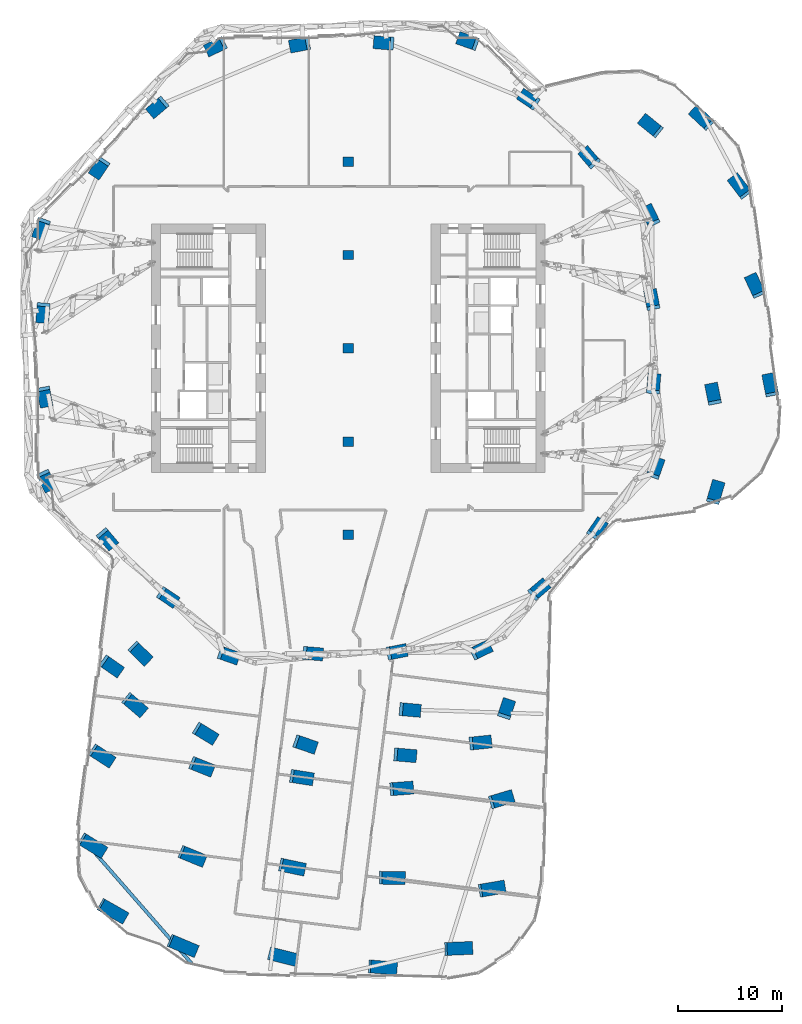
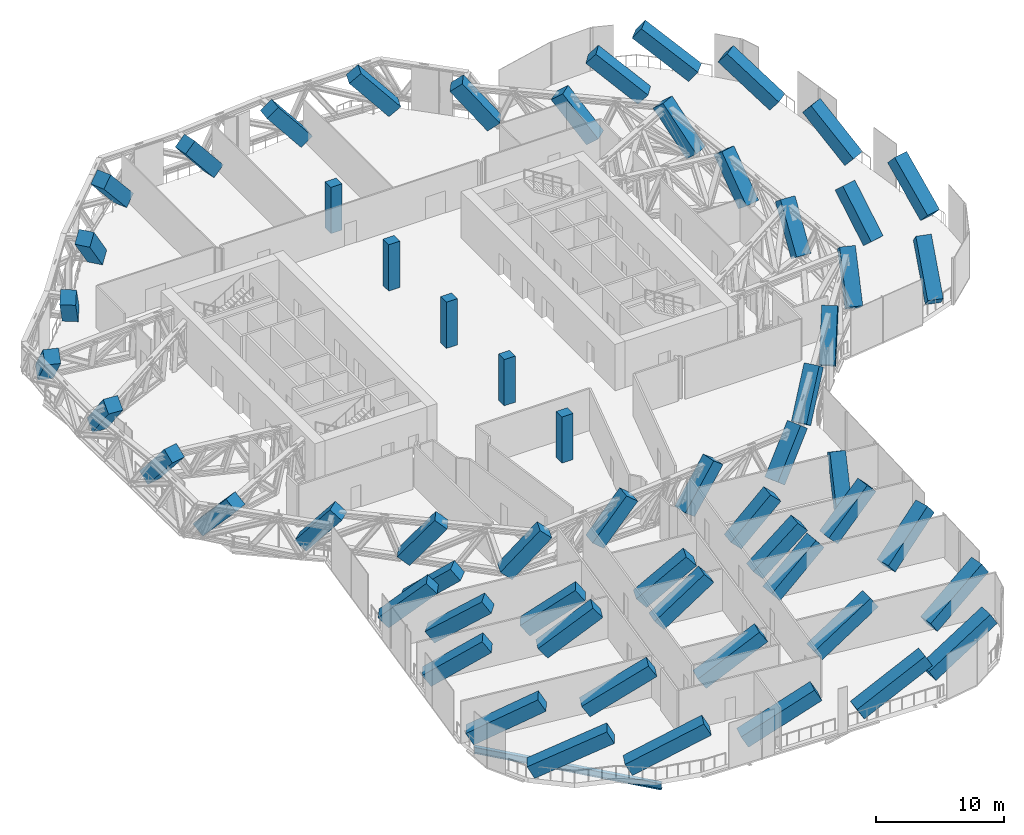
# One storey, part 1 of 27: 60 columns, 1 beam.
"""IFC4 building model written with IfcOpenShell, lengths in metres."""

from ifc_helpers import new_model, si_unit, direction, frame, origin, origin_2d, place, context, subcontext, project, spatial, rectangle, i_section, extrude, material, material_profile, profile_set, type_object, element, save


model = new_model("IFC4")

# Units and contexts
model_context = context("Model", 3, precision=1e-05, world=origin(), true_north=direction((0.0, 1.0)))
body_context = subcontext(model_context, "Body", "Model", "MODEL_VIEW")
ifc_project = project(units=[si_unit("LENGTHUNIT", "METRE"), si_unit("AREAUNIT", "SQUARE_METRE"), si_unit("VOLUMEUNIT", "CUBIC_METRE"), si_unit("PLANEANGLEUNIT", "RADIAN"), si_unit("MASSUNIT", "GRAM", prefix="KILO")], contexts=[model_context])

# Site, building, storey
site_placement = place(None, origin())
site = spatial("IfcSite", under=ifc_project, at=site_placement, CompositionType="ELEMENT")
building_placement = place(site_placement, origin())
building = spatial("IfcBuilding", under=site, at=building_placement, Name="Orlundy Tower", CompositionType="ELEMENT")
storey_placement = place(building_placement, frame((0.0, 0.0, 206.10009765625)))
storey = spatial("IfcBuildingStorey", under=building, at=storey_placement, Name="L54", CompositionType="ELEMENT", Elevation=206.10009765625)

# Columns
ifc_material_1 = material(Name="Concrete C70/85", Category="concrete")
ifc_material_profile_1 = material_profile(ifc_material_1, rectangle(XDim=1.0, YDim=0.89990234375, at=origin_2d()), Name="RC1000X900")
ifc_profile_set_1 = profile_set([ifc_material_profile_1], Name="Concrete C70/85")
column_type_1 = type_object("IfcColumnType", Name="RC COLUMN RC1000X900 C70/85", PredefinedType="COLUMN", material=ifc_profile_set_1)
for number, where, z_axis, x_axis, name in (
    (1, (0.0, -18.0, 0.0), (0.0, 0.0, 1.0), (1.0, 0.0, 0.0), "Column C-M1 L54"),
    (2, (0.0, -9.0, 0.0), (0.0, 0.0, 1.0), (1.0, 0.0, 0.0), "Column C-M2 L54"),
    (3, (0.0, 0.0, 0.0), (0.0, 0.0, 1.0), (1.0, 0.0, 0.0), "Column C-M3 L54"),
    (4, (0.0, 9.0, 0.0), (0.0, 0.0, 1.0), (1.0, 0.0, 0.0), "Column C-M4 L54"),
    (5, (0.0, 18.0, 0.0), (0.0, 0.0, 1.0), (1.0, 0.0, 0.0), "Column C-M5 L54"),
):
    element("IfcColumn", number, at=place(storey_placement, frame(where, z_axis=z_axis, x_axis=x_axis)), inside=storey, type_object=column_type_1, Name=name, PredefinedType="COLUMN", context=body_context, shape_type="SweptSolid", body=[
        extrude(rectangle(XDim=1.0, YDim=0.89990234375, at=origin_2d()), origin(), (0.0, 0.0, 1.0), 4.39990234375),
    ])
ifc_material_2 = material(Name="Concrete C70/85", Category="concrete")
ifc_material_profile_2 = material_profile(ifc_material_2, rectangle(XDim=1.25, YDim=1.25, at=origin_2d()), Name="RC1250X1250")
ifc_profile_set_2 = profile_set([ifc_material_profile_2], Name="Concrete C70/85")
column_type_2 = type_object("IfcColumnType", Name="RC COLUMN RC1250X1250 C70/85", PredefinedType="COLUMN", material=ifc_profile_set_2)
column_1_placement = place(storey_placement, frame((35.258056640625, -14.512939453125, 0.468505859375), z_axis=(0.209560933021, 0.720053791226, 0.661518520596), x_axis=(-0.960162837382, 0.279441095243, 0.0)))
element("IfcColumn", 6, at=column_1_placement, inside=storey, type_object=column_type_2, Name="Column C-A1-1 L54 strut", PredefinedType="COLUMN", context=body_context, shape_type="SweptSolid", body=[
    extrude(rectangle(XDim=1.25, YDim=1.25, at=origin_2d()), origin(), (0.0, 0.0, 1.0), 5.234375),
])
column_2_placement = place(storey_placement, frame((40.85009765625, -4.1708984375, 0.466796875), z_axis=(-0.145768187645, 0.732633814292, 0.664830301375), x_axis=(-0.9807754786, -0.19513959254, 0.0)))
element("IfcColumn", 7, at=column_2_placement, inside=storey, type_object=column_type_2, Name="Column C-A2-5 L54 strut", PredefinedType="COLUMN", context=body_context, shape_type="SweptSolid", body=[
    extrude(rectangle(XDim=1.25, YDim=1.25, at=origin_2d()), origin(), (0.0, 0.0, 1.0), 5.2138671875),
])
column_3_placement = place(storey_placement, frame((35.302001953125, -4.93505859375, 0.4287109375), z_axis=(-0.135096454123, 0.672875585783, 0.727315195868), x_axis=(-0.980434320914, -0.19684649444, 0.0)))
element("IfcColumn", 8, at=column_3_placement, inside=storey, type_object=column_type_2, Name="Column C-A2-6 L54 strut", PredefinedType="COLUMN", context=body_context, shape_type="SweptSolid", body=[
    extrude(rectangle(XDim=1.25, YDim=1.25, at=origin_2d()), origin(), (0.0, 0.0, 1.0), 4.870361328125),
])
column_4_placement = place(storey_placement, frame((39.528076171875, 5.43798828125, 0.47412109375), z_axis=(-0.321373857726, 0.687434160692, 0.651270387998), x_axis=(-0.905894452288, -0.423503531642, 0.0)))
element("IfcColumn", 9, at=column_4_placement, inside=storey, type_object=column_type_2, Name="Column C-A3-5 L54 strut", PredefinedType="COLUMN", context=body_context, shape_type="SweptSolid", body=[
    extrude(rectangle(XDim=1.25, YDim=1.25, at=origin_2d()), origin(), (0.0, 0.0, 1.0), 5.299560546875),
])
column_5_placement = place(storey_placement, frame((38.2060546875, 15.048095703125, 0.49169921875), z_axis=(-0.477592082223, 0.625621823049, 0.616849363721), x_axis=(-0.794863095795, -0.606788809177, 0.0)))
element("IfcColumn", 10, at=column_5_placement, inside=storey, type_object=column_type_2, Name="Column C-A4-5 L54 strut", PredefinedType="COLUMN", context=body_context, shape_type="SweptSolid", body=[
    extrude(rectangle(XDim=1.25, YDim=1.25, at=origin_2d()), origin(), (0.0, 0.0, 1.0), 5.538330078125),
])
column_6_placement = place(storey_placement, frame((34.656005859375, 21.718994140625, 0.498779296875), z_axis=(-0.581979503757, 0.546046301616, 0.602605421232), x_axis=(-0.684234860803, -0.729261719318, 0.0)))
element("IfcColumn", 11, at=column_6_placement, inside=storey, type_object=column_type_2, Name="Column C-A5-5 L54 strut", PredefinedType="COLUMN", context=body_context, shape_type="SweptSolid", body=[
    extrude(rectangle(XDim=1.25, YDim=1.25, at=origin_2d()), origin(), (0.0, 0.0, 1.0), 5.64599609375),
])
column_7_placement = place(storey_placement, frame((29.702880859375, 21.0380859375, 0.4794921875), z_axis=(-0.595415125764, 0.483985227934, 0.641279289509), x_axis=(-0.630757809366, -0.775979758707, 0.0)))
element("IfcColumn", 12, at=column_7_placement, inside=storey, type_object=column_type_2, Name="Column C-A5-6 L54 strut", PredefinedType="COLUMN", context=body_context, shape_type="SweptSolid", body=[
    extrude(rectangle(XDim=1.25, YDim=1.25, at=origin_2d()), origin(), (0.0, 0.0, 1.0), 5.36572265625),
])
column_8_placement = place(storey_placement, frame((-23.364990234375, -30.322021484375, 0.4599609375), z_axis=(0.604547981871, -0.419954265804, 0.676875285594), x_axis=(0.570514289854, 0.821287674979, 0.0)))
element("IfcColumn", 13, at=column_8_placement, inside=storey, type_object=column_type_2, Name="Column C-B1-1 L54 strut", PredefinedType="COLUMN", context=body_context, shape_type="SweptSolid", body=[
    extrude(rectangle(XDim=1.25, YDim=1.25, at=origin_2d()), origin(), (0.0, 0.0, 1.0), 5.140869140625),
])
column_9_placement = place(storey_placement, frame((-24.44189453125, -38.887939453125, 0.50732421875), z_axis=(0.681472154292, -0.44100460198, 0.584046782336), x_axis=(0.543296460318, 0.839540919912, 0.0)))
element("IfcColumn", 14, at=column_9_placement, inside=storey, type_object=column_type_2, Name="Column C-B1-2 L54 strut", PredefinedType="COLUMN", context=body_context, shape_type="SweptSolid", body=[
    extrude(rectangle(XDim=1.25, YDim=1.25, at=origin_2d()), origin(), (0.0, 0.0, 1.0), 5.796142578125),
])
column_10_placement = place(storey_placement, frame((-25.51611328125, -47.4541015625, 0.5380859375), z_axis=(0.732821218952, -0.451998568928, 0.50859645569), x_axis=(0.524966240831, 0.851123049851, 0.0)))
element("IfcColumn", 15, at=column_10_placement, inside=storey, type_object=column_type_2, Name="Column C-B1-3 L54 strut", PredefinedType="COLUMN", context=body_context, shape_type="SweptSolid", body=[
    extrude(rectangle(XDim=1.25, YDim=1.25, at=origin_2d()), origin(), (0.0, 0.0, 1.0), 6.53515625),
])
column_11_placement = place(storey_placement, frame((-23.68505859375, -53.758056640625, 0.552001953125), z_axis=(0.767524718549, -0.437360648077, 0.468637887852), x_axis=(0.495093298887, 0.86883981573, 0.0)))
element("IfcColumn", 16, at=column_11_placement, inside=storey, type_object=column_type_2, Name="Column C-B1-5 L54 strut", PredefinedType="COLUMN", context=body_context, shape_type="SweptSolid", body=[
    extrude(rectangle(XDim=1.25, YDim=1.25, at=origin_2d()), origin(), (0.0, 0.0, 1.0), 7.032958984375),
])
column_12_placement = place(storey_placement, frame((-21.18994140625, -33.9150390625, 0.498779296875), z_axis=(0.60682574595, -0.518264559624, 0.602631197574), x_axis=(0.649438201848, 0.76041437518, 0.0)))
element("IfcColumn", 17, at=column_12_placement, inside=storey, type_object=column_type_2, Name="Column C-B1-6 L54 strut", PredefinedType="COLUMN", context=body_context, shape_type="SweptSolid", body=[
    extrude(rectangle(XDim=1.25, YDim=1.25, at=origin_2d()), origin(), (0.0, 0.0, 1.0), 5.645751953125),
])
column_13_placement = place(storey_placement, frame((-20.56591796875, -28.9541015625, 0.4794921875), z_axis=(0.546625765271, -0.538435251848, 0.641317201009), x_axis=(0.701749238888, 0.712424035052, 0.0)))
element("IfcColumn", 18, at=column_13_placement, inside=storey, type_object=column_type_2, Name="Column C-B1-7 L54 strut", PredefinedType="COLUMN", context=body_context, shape_type="SweptSolid", body=[
    extrude(rectangle(XDim=1.25, YDim=1.25, at=origin_2d()), origin(), (0.0, 0.0, 1.0), 5.365478515625),
])
column_14_placement = place(storey_placement, frame((-14.818115234375, -40.097900390625, 0.490478515625), z_axis=(0.729256121649, -0.29003851091, 0.619728304361), x_axis=(0.369562231152, 0.929205982173, 0.0)))
element("IfcColumn", 19, at=column_14_placement, inside=storey, type_object=column_type_2, Name="Column C-B2-2 L54 strut", PredefinedType="COLUMN", context=body_context, shape_type="SweptSolid", body=[
    extrude(rectangle(XDim=1.25, YDim=1.25, at=origin_2d()), origin(), (0.0, 0.0, 1.0), 5.516845703125),
])
column_15_placement = place(storey_placement, frame((-15.89501953125, -48.6640625, 0.52734375), z_axis=(0.780516487065, -0.320557380948, 0.536690766587), x_axis=(0.379906795969, 0.925024770683, 0.0)))
element("IfcColumn", 20, at=column_15_placement, inside=storey, type_object=column_type_2, Name="Column C-B2-3 L54 strut", PredefinedType="COLUMN", context=body_context, shape_type="SweptSolid", body=[
    extrude(rectangle(XDim=1.25, YDim=1.25, at=origin_2d()), origin(), (0.0, 0.0, 1.0), 6.233154296875),
])
column_16_placement = place(storey_placement, frame((-16.971923828125, -57.22998046875, 0.551513671875), z_axis=(0.813793611943, -0.34165684923, 0.470117596495), x_axis=(0.387101045931, 0.922037298724, 0.0)))
element("IfcColumn", 21, at=column_16_placement, inside=storey, type_object=column_type_2, Name="Column C-B2-5 L54 strut", PredefinedType="COLUMN", context=body_context, shape_type="SweptSolid", body=[
    extrude(rectangle(XDim=1.25, YDim=1.25, at=origin_2d()), origin(), (0.0, 0.0, 1.0), 7.012939453125),
])
column_17_placement = place(storey_placement, frame((-14.402099609375, -36.791015625, 0.4892578125), z_axis=(0.668536196843, -0.40762020421, 0.622016979375), x_axis=(0.520585249555, 0.853809696564, 0.0)))
element("IfcColumn", 22, at=column_17_placement, inside=storey, type_object=column_type_2, Name="Column C-B2-6 L54 strut", PredefinedType="COLUMN", context=body_context, shape_type="SweptSolid", body=[
    extrude(rectangle(XDim=1.25, YDim=1.25, at=origin_2d()), origin(), (0.0, 0.0, 1.0), 5.5),
])
column_18_placement = place(storey_placement, frame((-5.194091796875, -41.30810546875, 0.48095703125), z_axis=(0.760399313184, -0.119547665228, 0.638358238177), x_axis=(0.155309269124, 0.987865897237, 0.0)))
element("IfcColumn", 23, at=column_18_placement, inside=storey, type_object=column_type_2, Name="Column C-B3-2 L54 strut", PredefinedType="COLUMN", context=body_context, shape_type="SweptSolid", body=[
    extrude(rectangle(XDim=1.25, YDim=1.25, at=origin_2d()), origin(), (0.0, 0.0, 1.0), 5.38525390625),
])
column_19_placement = place(storey_placement, frame((-6.27099609375, -49.8740234375, 0.520263671875), z_axis=(0.814502781534, -0.171872731711, 0.554116398393), x_axis=(0.206468811523, 0.978453182257, 0.0)))
element("IfcColumn", 24, at=column_19_placement, inside=storey, type_object=column_type_2, Name="Column C-B3-3 L54 strut", PredefinedType="COLUMN", context=body_context, shape_type="SweptSolid", body=[
    extrude(rectangle(XDim=1.25, YDim=1.25, at=origin_2d()), origin(), (0.0, 0.0, 1.0), 6.0625),
])
column_20_placement = place(storey_placement, frame((-7.347900390625, -58.43994140625, 0.54638671875), z_axis=(0.84837700883, -0.211216274818, 0.485431906801), x_axis=(0.241590347194, 0.970378330417, 0.0)))
element("IfcColumn", 25, at=column_20_placement, inside=storey, type_object=column_type_2, Name="Column C-B3-5 L54 strut", PredefinedType="COLUMN", context=body_context, shape_type="SweptSolid", body=[
    extrude(rectangle(XDim=1.25, YDim=1.25, at=origin_2d()), origin(), (0.0, 0.0, 1.0), 6.812744140625),
])
column_21_placement = place(storey_placement, frame((-4.778076171875, -38.0009765625, 0.470703125), z_axis=(0.71272637294, -0.244506546799, 0.657447842713), x_axis=(0.324494397728, 0.945887617978, 0.0)))
element("IfcColumn", 26, at=column_21_placement, inside=storey, type_object=column_type_2, Name="Column C-B3-6 L54 strut", PredefinedType="COLUMN", context=body_context, shape_type="SweptSolid", body=[
    extrude(rectangle(XDim=1.25, YDim=1.25, at=origin_2d()), origin(), (0.0, 0.0, 1.0), 5.260009765625),
])
column_22_placement = place(storey_placement, frame((4.429931640625, -42.51806640625, 0.48291015625), z_axis=(0.770496575996, 0.057678925968, 0.634829243086), x_axis=(-0.074650542849, 0.997209755494, 0.0)))
element("IfcColumn", 27, at=column_22_placement, inside=storey, type_object=column_type_2, Name="Column C-B4-2 L54 strut", PredefinedType="COLUMN", context=body_context, shape_type="SweptSolid", body=[
    extrude(rectangle(XDim=1.25, YDim=1.25, at=origin_2d()), origin(), (0.0, 0.0, 1.0), 5.409423828125),
])
column_23_placement = place(storey_placement, frame((3.35302734375, -51.083984375, 0.518798828125), z_axis=(0.830275198179, -0.014241843466, 0.557171665812), x_axis=(0.017150637239, 0.999852917004, 0.0)))
element("IfcColumn", 28, at=column_23_placement, inside=storey, type_object=column_type_2, Name="Column C-B4-3 L54 strut", PredefinedType="COLUMN", context=body_context, shape_type="SweptSolid", body=[
    extrude(rectangle(XDim=1.25, YDim=1.25, at=origin_2d()), origin(), (0.0, 0.0, 1.0), 6.0341796875),
])
column_24_placement = place(storey_placement, frame((2.27587890625, -59.64990234375, 0.544189453125), z_axis=(0.868130955157, -0.071662265799, 0.491134568482), x_axis=(0.082267943599, 0.996610247517, 0.0)))
element("IfcColumn", 29, at=column_24_placement, inside=storey, type_object=column_type_2, Name="Column C-B4-5 L54 strut", PredefinedType="COLUMN", context=body_context, shape_type="SweptSolid", body=[
    extrude(rectangle(XDim=1.25, YDim=1.25, at=origin_2d()), origin(), (0.0, 0.0, 1.0), 6.7421875),
])
column_25_placement = place(storey_placement, frame((4.845947265625, -39.2109375, 0.463134765625), z_axis=(0.738555428714, -0.063594552405, 0.671186718896), x_axis=(0.085789226433, 0.996313308467, 0.0)))
element("IfcColumn", 30, at=column_25_placement, inside=storey, type_object=column_type_2, Name="Column C-B4-6 L54 strut", PredefinedType="COLUMN", context=body_context, shape_type="SweptSolid", body=[
    extrude(rectangle(XDim=1.25, YDim=1.25, at=origin_2d()), origin(), (0.0, 0.0, 1.0), 5.175048828125),
])
column_26_placement = place(storey_placement, frame((5.39501953125, -34.844970703125, 0.433349609375), z_axis=(0.690841886067, -0.060586191204, 0.720462908061), x_axis=(0.087363751065, 0.996176477839, 0.0)))
element("IfcColumn", 31, at=column_26_placement, inside=storey, type_object=column_type_2, Name="Column C-B4-7 L54 strut", PredefinedType="COLUMN", context=body_context, shape_type="SweptSolid", body=[
    extrude(rectangle(XDim=1.25, YDim=1.25, at=origin_2d()), origin(), (0.0, 0.0, 1.0), 4.904052734375),
])
column_27_placement = place(storey_placement, frame((15.131103515625, -35.162109375, 0.357666015625), z_axis=(0.180452482411, 0.543096224539, 0.820050847498), x_axis=(-0.948986687834, 0.315316137098, 0.0)))
element("IfcColumn", 32, at=column_27_placement, inside=storey, type_object=column_type_2, Name="Column C-B5-1 L54 strut", PredefinedType="COLUMN", context=body_context, shape_type="SweptSolid", body=[
    extrude(rectangle(XDim=1.25, YDim=1.25, at=origin_2d()), origin(), (0.0, 0.0, 1.0), 4.4931640625),
])
column_28_placement = place(storey_placement, frame((14.053955078125, -43.72802734375, 0.4951171875), z_axis=(0.759016145733, 0.22694892988, 0.610236571948), x_axis=(-0.286472377914, 0.958088501492, 0.0)))
element("IfcColumn", 33, at=column_28_placement, inside=storey, type_object=column_type_2, Name="Column C-B5-2 L54 strut", PredefinedType="COLUMN", context=body_context, shape_type="SweptSolid", body=[
    extrude(rectangle(XDim=1.25, YDim=1.25, at=origin_2d()), origin(), (0.0, 0.0, 1.0), 5.58740234375),
])
column_29_placement = place(storey_placement, frame((12.972900390625, -52.2939453125, 0.524169921875), z_axis=(0.826674052824, 0.141356224515, 0.544636051119), x_axis=(-0.168547583894, 0.985693518272, 0.0)))
element("IfcColumn", 34, at=column_29_placement, inside=storey, type_object=column_type_2, Name="Column C-B5-3 L54 strut", PredefinedType="COLUMN", context=body_context, shape_type="SweptSolid", body=[
    extrude(rectangle(XDim=1.25, YDim=1.25, at=origin_2d()), origin(), (0.0, 0.0, 1.0), 6.15380859375),
])
column_30_placement = place(storey_placement, frame((9.638916015625, -57.948974609375, 0.538818359375), z_axis=(0.86142718096, 0.035999830761, 0.50660361634), x_axis=(-0.041754469989, 0.99912790184, 0.0)))
element("IfcColumn", 35, at=column_30_placement, inside=storey, type_object=column_type_2, Name="Column C-B5-5 L54 strut", PredefinedType="COLUMN", context=body_context, shape_type="SweptSolid", body=[
    extrude(rectangle(XDim=1.25, YDim=1.25, at=origin_2d()), origin(), (0.0, 0.0, 1.0), 6.557861328125),
])
column_31_placement = place(storey_placement, frame((12.134033203125, -38.10498046875, 0.454345703125), z_axis=(0.723108894722, 0.075714941038, 0.6865717545), x_axis=(-0.104138210679, 0.994562835157, 0.0)))
element("IfcColumn", 36, at=column_31_placement, inside=storey, type_object=column_type_2, Name="Column C-B5-6 L54 strut", PredefinedType="COLUMN", context=body_context, shape_type="SweptSolid", body=[
    extrude(rectangle(XDim=1.25, YDim=1.25, at=origin_2d()), origin(), (0.0, 0.0, 1.0), 5.0849609375),
])
column_32_placement = place(storey_placement, frame((12.007080078125, 29.469970703125, 0.412841796875), z_axis=(-0.623513084536, 0.21882689292, 0.750563937548), x_axis=(-0.331155585117, -0.943576164623, 0.0)))
element("IfcColumn", 37, at=column_32_placement, inside=storey, type_object=column_type_2, Name="Column C-H01 L54 strut", PredefinedType="COLUMN", context=body_context, shape_type="SweptSolid", body=[
    extrude(rectangle(XDim=1.25, YDim=1.25, at=origin_2d()), origin(), (0.0, 0.0, 1.0), 4.76171875),
])
column_33_placement = place(storey_placement, frame((17.781005859375, 23.762939453125, 0.39404296875), z_axis=(-0.523026204983, 0.352426283358, 0.776040787394), x_axis=(-0.558801233735, -0.829301622557, 0.0)))
element("IfcColumn", 38, at=column_33_placement, inside=storey, type_object=column_type_2, Name="Column C-H02 L54 strut", PredefinedType="COLUMN", context=body_context, shape_type="SweptSolid", body=[
    extrude(rectangle(XDim=1.25, YDim=1.25, at=origin_2d()), origin(), (0.0, 0.0, 1.0), 4.65380859375),
])
column_34_placement = place(storey_placement, frame((23.554931640625, 18.055908203125, 0.393798828125), z_axis=(-0.407867599836, 0.480742322781, 0.776228600408), x_axis=(-0.762536504129, -0.646945190778, 0.0)))
element("IfcColumn", 39, at=column_34_placement, inside=storey, type_object=column_type_2, Name="Column C-H03 L54 strut", PredefinedType="COLUMN", context=body_context, shape_type="SweptSolid", body=[
    extrude(rectangle(XDim=1.25, YDim=1.25, at=origin_2d()), origin(), (0.0, 0.0, 1.0), 4.6533203125),
])
column_35_placement = place(storey_placement, frame((29.3291015625, 12.34912109375, 0.412841796875), z_axis=(-0.286274556016, 0.5954182598, 0.750682339258), x_axis=(-0.901243098623, -0.433313832209, 0.0)))
element("IfcColumn", 40, at=column_35_placement, inside=storey, type_object=column_type_2, Name="Column C-H04 L54 strut", PredefinedType="COLUMN", context=body_context, shape_type="SweptSolid", body=[
    extrude(rectangle(XDim=1.25, YDim=1.25, at=origin_2d()), origin(), (0.0, 0.0, 1.0), 4.76123046875),
])
column_36_placement = place(storey_placement, frame((29.3759765625, 4.22998046875, 0.39404296875), z_axis=(-0.120561844769, 0.618915614767, 0.776149665582), x_axis=(-0.981550812266, -0.191201472119, 0.0)))
element("IfcColumn", 41, at=column_36_placement, inside=storey, type_object=column_type_2, Name="Column C-H05 L54 strut", PredefinedType="COLUMN", context=body_context, shape_type="SweptSolid", body=[
    extrude(rectangle(XDim=1.25, YDim=1.25, at=origin_2d()), origin(), (0.0, 0.0, 1.0), 4.653564453125),
])
column_37_placement = place(storey_placement, frame((29.423095703125, -3.887939453125, 0.39404296875), z_axis=(0.051576127766, 0.628357788529, 0.776212852663), x_axis=(-0.99664829532, 0.081805717627, 0.0)))
element("IfcColumn", 42, at=column_37_placement, inside=storey, type_object=column_type_2, Name="Column C-H06 L54 strut", PredefinedType="COLUMN", context=body_context, shape_type="SweptSolid", body=[
    extrude(rectangle(XDim=1.25, YDim=1.25, at=origin_2d()), origin(), (0.0, 0.0, 1.0), 4.653076171875),
])
column_38_placement = place(storey_placement, frame((29.469970703125, -12.007080078125, 0.412841796875), z_axis=(0.21882689292, 0.623513084536, 0.750563937548), x_axis=(-0.943576164623, 0.331155585117, 0.0)))
element("IfcColumn", 43, at=column_38_placement, inside=storey, type_object=column_type_2, Name="Column C-H07 L54 strut", PredefinedType="COLUMN", context=body_context, shape_type="SweptSolid", body=[
    extrude(rectangle(XDim=1.25, YDim=1.25, at=origin_2d()), origin(), (0.0, 0.0, 1.0), 4.76171875),
])
column_39_placement = place(storey_placement, frame((23.762939453125, -17.781005859375, 0.39404296875), z_axis=(0.352426283358, 0.523026204983, 0.776040787394), x_axis=(-0.829301622557, 0.558801233735, 0.0)))
element("IfcColumn", 44, at=column_39_placement, inside=storey, type_object=column_type_2, Name="Column C-H08 L54 strut", PredefinedType="COLUMN", context=body_context, shape_type="SweptSolid", body=[
    extrude(rectangle(XDim=1.25, YDim=1.25, at=origin_2d()), origin(), (0.0, 0.0, 1.0), 4.65380859375),
])
column_40_placement = place(storey_placement, frame((18.055908203125, -23.554931640625, 0.393798828125), z_axis=(0.480742322781, 0.407867599836, 0.776228600408), x_axis=(-0.646945190778, 0.762536504129, 0.0)))
element("IfcColumn", 45, at=column_40_placement, inside=storey, type_object=column_type_2, Name="Column C-H09 L54 strut", PredefinedType="COLUMN", context=body_context, shape_type="SweptSolid", body=[
    extrude(rectangle(XDim=1.25, YDim=1.25, at=origin_2d()), origin(), (0.0, 0.0, 1.0), 4.6533203125),
])
column_41_placement = place(storey_placement, frame((12.34912109375, -29.3291015625, 0.412841796875), z_axis=(0.5954182598, 0.286274556016, 0.750682339258), x_axis=(-0.433313832209, 0.901243098623, 0.0)))
element("IfcColumn", 46, at=column_41_placement, inside=storey, type_object=column_type_2, Name="Column C-H10 L54 strut", PredefinedType="COLUMN", context=body_context, shape_type="SweptSolid", body=[
    extrude(rectangle(XDim=1.25, YDim=1.25, at=origin_2d()), origin(), (0.0, 0.0, 1.0), 4.76123046875),
])
column_42_placement = place(storey_placement, frame((4.22998046875, -29.3759765625, 0.39404296875), z_axis=(0.618915614767, 0.120561844769, 0.776149665582), x_axis=(-0.191201472119, 0.981550812266, 0.0)))
element("IfcColumn", 47, at=column_42_placement, inside=storey, type_object=column_type_2, Name="Column C-H11 L54 strut", PredefinedType="COLUMN", context=body_context, shape_type="SweptSolid", body=[
    extrude(rectangle(XDim=1.25, YDim=1.25, at=origin_2d()), origin(), (0.0, 0.0, 1.0), 4.653564453125),
])
column_43_placement = place(storey_placement, frame((-3.887939453125, -29.423095703125, 0.39404296875), z_axis=(0.628357788529, -0.051576127766, 0.776212852663), x_axis=(0.081805717627, 0.99664829532, 0.0)))
element("IfcColumn", 48, at=column_43_placement, inside=storey, type_object=column_type_2, Name="Column C-H12 L54 strut", PredefinedType="COLUMN", context=body_context, shape_type="SweptSolid", body=[
    extrude(rectangle(XDim=1.25, YDim=1.25, at=origin_2d()), origin(), (0.0, 0.0, 1.0), 4.653076171875),
])
column_44_placement = place(storey_placement, frame((-12.007080078125, -29.469970703125, 0.412841796875), z_axis=(0.623513084536, -0.21882689292, 0.750563937548), x_axis=(0.331155585117, 0.943576164623, 0.0)))
element("IfcColumn", 49, at=column_44_placement, inside=storey, type_object=column_type_2, Name="Column C-H13 L54 strut", PredefinedType="COLUMN", context=body_context, shape_type="SweptSolid", body=[
    extrude(rectangle(XDim=1.25, YDim=1.25, at=origin_2d()), origin(), (0.0, 0.0, 1.0), 4.76171875),
])
column_45_placement = place(storey_placement, frame((-17.781005859375, -23.762939453125, 0.39404296875), z_axis=(0.523026204983, -0.352426283358, 0.776040787394), x_axis=(0.558801233735, 0.829301622557, 0.0)))
element("IfcColumn", 50, at=column_45_placement, inside=storey, type_object=column_type_2, Name="Column C-H14 L54 strut", PredefinedType="COLUMN", context=body_context, shape_type="SweptSolid", body=[
    extrude(rectangle(XDim=1.25, YDim=1.25, at=origin_2d()), origin(), (0.0, 0.0, 1.0), 4.65380859375),
])
column_46_placement = place(storey_placement, frame((-23.554931640625, -18.055908203125, 0.393798828125), z_axis=(0.407867599836, -0.480742322781, 0.776228600408), x_axis=(0.762536504129, 0.646945190778, 0.0)))
element("IfcColumn", 51, at=column_46_placement, inside=storey, type_object=column_type_2, Name="Column C-H15 L54 strut", PredefinedType="COLUMN", context=body_context, shape_type="SweptSolid", body=[
    extrude(rectangle(XDim=1.25, YDim=1.25, at=origin_2d()), origin(), (0.0, 0.0, 1.0), 4.6533203125),
])
column_47_placement = place(storey_placement, frame((-29.3291015625, -12.34912109375, 0.412841796875), z_axis=(0.286274556016, -0.5954182598, 0.750682339258), x_axis=(0.901243098623, 0.433313832209, 0.0)))
element("IfcColumn", 52, at=column_47_placement, inside=storey, type_object=column_type_2, Name="Column C-H16 L54 strut", PredefinedType="COLUMN", context=body_context, shape_type="SweptSolid", body=[
    extrude(rectangle(XDim=1.25, YDim=1.25, at=origin_2d()), origin(), (0.0, 0.0, 1.0), 4.76123046875),
])
column_48_placement = place(storey_placement, frame((-29.3759765625, -4.22998046875, 0.39404296875), z_axis=(0.120561844769, -0.618915614767, 0.776149665582), x_axis=(0.981550812266, 0.191201472119, 0.0)))
element("IfcColumn", 53, at=column_48_placement, inside=storey, type_object=column_type_2, Name="Column C-H17 L54 strut", PredefinedType="COLUMN", context=body_context, shape_type="SweptSolid", body=[
    extrude(rectangle(XDim=1.25, YDim=1.25, at=origin_2d()), origin(), (0.0, 0.0, 1.0), 4.653564453125),
])
column_49_placement = place(storey_placement, frame((-29.423095703125, 3.887939453125, 0.39404296875), z_axis=(-0.051576127766, -0.628357788529, 0.776212852663), x_axis=(0.99664829532, -0.081805717627, 0.0)))
element("IfcColumn", 54, at=column_49_placement, inside=storey, type_object=column_type_2, Name="Column C-H18 L54 strut", PredefinedType="COLUMN", context=body_context, shape_type="SweptSolid", body=[
    extrude(rectangle(XDim=1.25, YDim=1.25, at=origin_2d()), origin(), (0.0, 0.0, 1.0), 4.653076171875),
])
column_50_placement = place(storey_placement, frame((-29.469970703125, 12.007080078125, 0.412841796875), z_axis=(-0.21882689292, -0.623513084536, 0.750563937548), x_axis=(0.943576164623, -0.331155585117, 0.0)))
element("IfcColumn", 55, at=column_50_placement, inside=storey, type_object=column_type_2, Name="Column C-H19 L54 strut", PredefinedType="COLUMN", context=body_context, shape_type="SweptSolid", body=[
    extrude(rectangle(XDim=1.25, YDim=1.25, at=origin_2d()), origin(), (0.0, 0.0, 1.0), 4.76171875),
])
column_51_placement = place(storey_placement, frame((-23.762939453125, 17.781005859375, 0.39404296875), z_axis=(-0.352426283358, -0.523026204983, 0.776040787394), x_axis=(0.829301622557, -0.558801233735, 0.0)))
element("IfcColumn", 56, at=column_51_placement, inside=storey, type_object=column_type_2, Name="Column C-H20 L54 strut", PredefinedType="COLUMN", context=body_context, shape_type="SweptSolid", body=[
    extrude(rectangle(XDim=1.25, YDim=1.25, at=origin_2d()), origin(), (0.0, 0.0, 1.0), 4.65380859375),
])
column_52_placement = place(storey_placement, frame((-18.055908203125, 23.554931640625, 0.393798828125), z_axis=(-0.480742322781, -0.407867599836, 0.776228600408), x_axis=(0.646945190778, -0.762536504129, 0.0)))
element("IfcColumn", 57, at=column_52_placement, inside=storey, type_object=column_type_2, Name="Column C-H21 L54 strut", PredefinedType="COLUMN", context=body_context, shape_type="SweptSolid", body=[
    extrude(rectangle(XDim=1.25, YDim=1.25, at=origin_2d()), origin(), (0.0, 0.0, 1.0), 4.6533203125),
])
column_53_placement = place(storey_placement, frame((-12.34912109375, 29.3291015625, 0.412841796875), z_axis=(-0.5954182598, -0.286274556016, 0.750682339258), x_axis=(0.433313832209, -0.901243098623, 0.0)))
element("IfcColumn", 58, at=column_53_placement, inside=storey, type_object=column_type_2, Name="Column C-H22 L54 strut", PredefinedType="COLUMN", context=body_context, shape_type="SweptSolid", body=[
    extrude(rectangle(XDim=1.25, YDim=1.25, at=origin_2d()), origin(), (0.0, 0.0, 1.0), 4.76123046875),
])
column_54_placement = place(storey_placement, frame((-4.22998046875, 29.3759765625, 0.39404296875), z_axis=(-0.618915614767, -0.120561844769, 0.776149665582), x_axis=(0.191201472119, -0.981550812266, 0.0)))
element("IfcColumn", 59, at=column_54_placement, inside=storey, type_object=column_type_2, Name="Column C-H23 L54 strut", PredefinedType="COLUMN", context=body_context, shape_type="SweptSolid", body=[
    extrude(rectangle(XDim=1.25, YDim=1.25, at=origin_2d()), origin(), (0.0, 0.0, 1.0), 4.653564453125),
])
column_55_placement = place(storey_placement, frame((3.887939453125, 29.423095703125, 0.39404296875), z_axis=(-0.628357788529, 0.051576127766, 0.776212852663), x_axis=(-0.081805717627, -0.99664829532, 0.0)))
element("IfcColumn", 60, at=column_55_placement, inside=storey, type_object=column_type_2, Name="Column C-H24 L54 strut", PredefinedType="COLUMN", context=body_context, shape_type="SweptSolid", body=[
    extrude(rectangle(XDim=1.25, YDim=1.25, at=origin_2d()), origin(), (0.0, 0.0, 1.0), 4.653076171875),
])

# Beam
ifc_material_3 = material(Name="Steel ASTM A992 Gr 50", Category="steel")
ifc_material_profile_3 = material_profile(ifc_material_3, i_section(OverallWidth=0.32373046875, OverallDepth=0.611083984375, WebThickness=0.0126953125, FlangeThickness=0.01904296875, at=origin_2d()), Name="W24X104")
ifc_profile_set_3 = profile_set([ifc_material_profile_3], Name="Steel ASTM A992 Gr 50")
beam_type = type_object("IfcBeamType", Name="CANTILEVER GIRDER beam W24X104", PredefinedType="BEAM", material=ifc_profile_set_3)
beam_placement = place(storey_placement, frame((-15.135498046875, -59.331298828125, -0.755615234375), z_axis=(-0.658068300943, 0.752958240073, 0.0), x_axis=(-0.752958240073, -0.658068300943, 0.0)))
element("IfcBeam", 61, at=beam_placement, inside=storey, type_object=beam_type, Name="Cantilever girder C-B2-5 L54", PredefinedType="BEAM", context=body_context, shape_type="SweptSolid", body=[
    extrude(i_section(OverallWidth=0.32373046875, OverallDepth=0.611083984375, WebThickness=0.0126953125, FlangeThickness=0.01904296875, at=origin_2d()), origin(), (0.0, 0.0, 1.0), 15.4140625),
])

save(model, "model.ifc")
